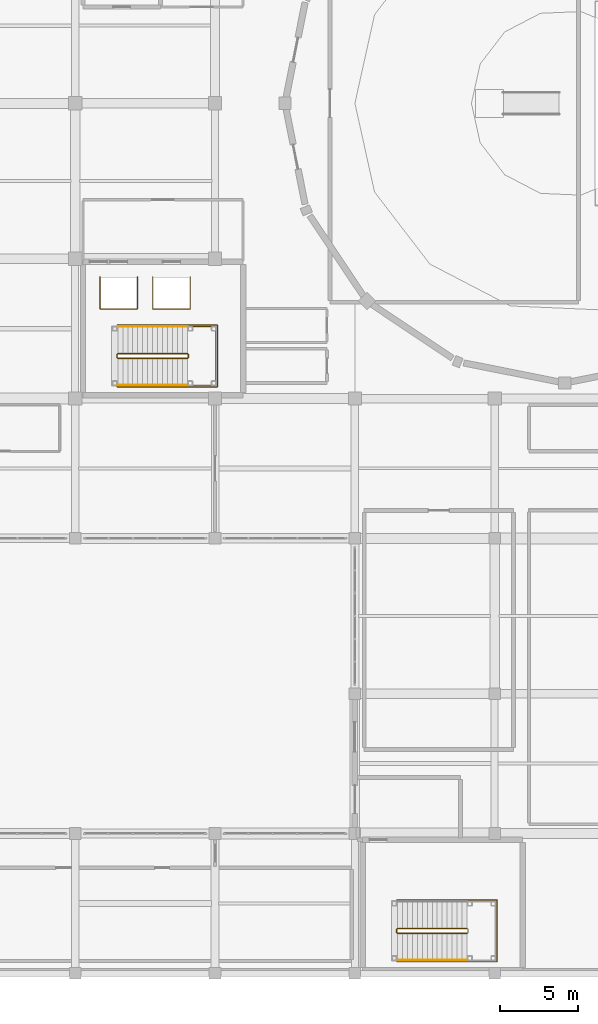
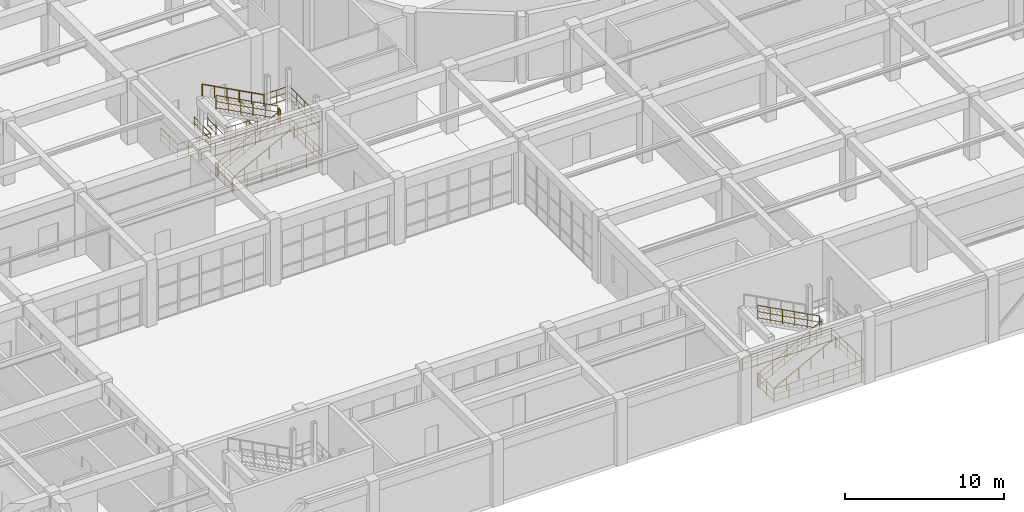
# One storey, part 117 of 128: 15 railings.
"""IFC4 building model written with IfcOpenShell, lengths in metres."""

import ifcopenshell
import ifcopenshell.guid

model = None  # the IFC model being written
_history = None  # IfcOwnerHistory: only IFC2X3 demands one
_inside = {}  # id of a spatial element -> (the spatial element, [elements in it])
_under = {}  # id of a project, library or spatial element -> (it, [spatial elements below it])
_declared = {}  # id of a project -> (the project, [libraries it declares])
_typed = {}  # id of a type object -> (the type object, [elements of that type])
_made_of = {}  # id of a material, layer set ... -> (it, [elements and type objects made of it])


def new_model(schema):
    """Start an empty IFC model of exactly this schema.

    Asked for "IFC4X3", IfcOpenShell would pick the latest addendum, in which some entities
    have other attributes; the version numbers below select the first issue.
    IFC2X3 requires an IfcOwnerHistory on every rooted entity: one is made here for all.
    """
    global model, _history
    if schema == "IFC4X3":
        model = ifcopenshell.file(schema_version=(4, 3, 0, 0))
    else:
        model = ifcopenshell.file(schema=schema)
    _inside.clear()
    _under.clear()
    _declared.clear()
    _typed.clear()
    _made_of.clear()
    _history = None
    if model.schema == "IFC2X3":
        org = make("IfcOrganization", Name="unknown")
        user = make(
            "IfcPersonAndOrganization",
            ThePerson=make("IfcPerson", FamilyName="unknown"),
            TheOrganization=org,
        )
        app = make(
            "IfcApplication",
            ApplicationDeveloper=org,
            Version="unknown",
            ApplicationFullName="unknown",
            ApplicationIdentifier="unknown",
        )
        _history = make(
            "IfcOwnerHistory",
            OwningUser=user,
            OwningApplication=app,
            ChangeAction="ADDED",
            CreationDate=0,
        )
    return model


def make(cls, **values):
    """One entity of the class cls with the attributes given. An attribute that is None is left unset."""
    return model.create_entity(
        cls, **{name: value for name, value in values.items() if value is not None}
    )


def rooted(cls, **values):
    """An entity with a GlobalId (a new one), such as an element, a storey or a relation."""
    return make(cls, GlobalId=ifcopenshell.guid.new(), OwnerHistory=_history, **values)


def si_unit(unit_type, name, prefix=None):
    """IfcSIUnit, for example si_unit("LENGTHUNIT", "METRE", prefix="MILLI")."""
    return make("IfcSIUnit", UnitType=unit_type, Prefix=prefix, Name=name)


def assignment(units):
    """IfcUnitAssignment: the units of a project."""
    return None if units is None else make("IfcUnitAssignment", Units=units)


def point(xyz):
    """IfcCartesianPoint."""
    return None if xyz is None else make("IfcCartesianPoint", Coordinates=xyz)


def direction(xyz):
    """IfcDirection."""
    return None if xyz is None else make("IfcDirection", DirectionRatios=xyz)


def frame(location, z_axis=None, x_axis=None):
    """IfcAxis2Placement3D, a coordinate frame: its origin and axes. An axis left out is left unset."""
    return make(
        "IfcAxis2Placement3D",
        Location=point(location),
        Axis=direction(z_axis),
        RefDirection=direction(x_axis),
    )


def frame_2d(location, x_axis=None):
    """IfcAxis2Placement2D, a coordinate frame in the plane: its origin and x axis."""
    return make(
        "IfcAxis2Placement2D", Location=point(location), RefDirection=direction(x_axis)
    )


def origin():
    """The frame at (0, 0, 0) with its axes left unset."""
    return frame((0.0, 0.0, 0.0))


def origin_2d():
    """The frame at (0, 0) in the plane with its x axis left unset."""
    return frame_2d((0.0, 0.0))


def place(relative_to, where):
    """IfcLocalPlacement: puts the frame where relative to a parent placement (None: the world)."""
    return make(
        "IfcLocalPlacement", PlacementRelTo=relative_to, RelativePlacement=where
    )


def context(
    kind, dimensions, precision=None, world=None, true_north=None, identifier=None
):
    """IfcGeometricRepresentationContext, for example the 3D "Model" context."""
    return make(
        "IfcGeometricRepresentationContext",
        ContextIdentifier=identifier,
        ContextType=kind,
        CoordinateSpaceDimension=dimensions,
        Precision=precision,
        WorldCoordinateSystem=world,
        TrueNorth=true_north,
    )


def subcontext(parent, identifier, kind, view, scale=None):
    """IfcGeometricRepresentationSubContext, for example "Body" below "Model"."""
    return make(
        "IfcGeometricRepresentationSubContext",
        ContextIdentifier=identifier,
        ContextType=kind,
        ParentContext=parent,
        TargetScale=scale,
        TargetView=view,
    )


def project(units=None, contexts=None):
    """IfcProject with its units and contexts."""
    return rooted(
        "IfcProject",
        Name="project",
        RepresentationContexts=contexts,
        UnitsInContext=assignment(units),
    )


def spatial(cls, under=None, at=None, **own):
    """A site, building, storey or space (cls), placed at a placement, below another one or the project."""
    s = rooted(cls, ObjectPlacement=at, **own)
    if under is not None:
        _under.setdefault(under.id(), (under, []))[1].append(s)
    return s


def profile(cls, at=None, kind="AREA", **sizes):
    """A parametric profile (cls). Its sizes go by their IFC names, for example OverallWidth=200.0."""
    return make(cls, ProfileType=kind, Position=at, **sizes)


def circle(**sizes):
    """IfcCircleProfileDef."""
    return profile("IfcCircleProfileDef", **sizes)


def extrude(swept, where, along, depth):
    """IfcExtrudedAreaSolid: the profile swept, set in the frame where, extruded along a direction by depth."""
    return make(
        "IfcExtrudedAreaSolid",
        SweptArea=swept,
        Position=where,
        ExtrudedDirection=direction(along),
        Depth=depth,
    )


def shape(context_of_items, identifier, shape_type, items):
    """IfcShapeRepresentation: the items that make up one representation, for example the "Body"."""
    return make(
        "IfcShapeRepresentation",
        ContextOfItems=context_of_items,
        RepresentationIdentifier=identifier,
        RepresentationType=shape_type,
        Items=items,
    )


def material(Name=None, Category=None):
    """IfcMaterial."""
    return make("IfcMaterial", Name=Name, Category=Category)


def made_of(thing, what):
    """Note that an element or type object is made of a material, layer set ...; save() writes the relation."""
    if what is not None:
        _made_of.setdefault(what.id(), (what, []))[1].append(thing)
    return thing


def type_object(cls, material=None, **own):
    """A type object (cls), such as IfcWallType, which elements share."""
    return made_of(rooted(cls, **own), material)


def element(
    cls,
    number,
    at=None,
    inside=None,
    cuts=None,
    type_object=None,
    material=None,
    context=None,
    identifier="Body",
    shape_type=None,
    held_by="IfcProductDefinitionShape",
    body=None,
    shapes=None,
    **own,
):
    """One element of the class cls, such as IfcWall. Its Tag is "e" and its number.

    at: its placement. inside: the storey or other place that contains it. cuts: it is an
    opening in that element (IfcRelVoidsElement). A single representation is given by context,
    identifier, shape_type and body (its items); several are given by shapes. held_by: the class
    of the entity that holds the representations. save() writes the other relations.
    """
    e = rooted(cls, Tag="e%d" % number, ObjectPlacement=at, **own)
    if body is not None:
        shapes = [shape(context, identifier, shape_type, body)]
    if shapes is not None:
        e.Representation = make(held_by, Representations=shapes)
    if inside is not None:
        _inside.setdefault(inside.id(), (inside, []))[1].append(e)
    if cuts is not None:
        rooted(
            "IfcRelVoidsElement", RelatingBuildingElement=cuts, RelatedOpeningElement=e
        )
    if type_object is not None:
        _typed.setdefault(type_object.id(), (type_object, []))[1].append(e)
    return made_of(e, material)


def aggregate(whole, parts):
    """IfcRelAggregates: a whole, such as a stair, and the parts it consists of."""
    return rooted("IfcRelAggregates", RelatingObject=whole, RelatedObjects=parts)


def save(model, path):
    """Write the relations noted so far, then the file.

    IfcRelAggregates (storeys below a building ...), IfcRelContainedInSpatialStructure (elements
    in a storey), IfcRelDefinesByType, IfcRelAssociatesMaterial and IfcRelDeclares: one each for
    every whole, place, type object, material and project.
    """
    for whole, parts in _under.values():
        aggregate(whole, parts)
    for where, things in _inside.values():
        rooted(
            "IfcRelContainedInSpatialStructure",
            RelatedElements=things,
            RelatingStructure=where,
        )
    for kind, things in _typed.values():
        rooted("IfcRelDefinesByType", RelatedObjects=things, RelatingType=kind)
    for what, things in _made_of.values():
        rooted("IfcRelAssociatesMaterial", RelatedObjects=things, RelatingMaterial=what)
    for by, libraries in _declared.values():
        rooted("IfcRelDeclares", RelatingContext=by, RelatedDefinitions=libraries)
    model.write(path)


model = new_model("IFC4")

# Units and contexts
model_context = context("Model", 3, precision=1e-05, world=origin(), true_north=direction((0.0, 1.0)))
body_context = subcontext(model_context, "Body", "Model", "MODEL_VIEW")
ifc_project = project(units=[si_unit("LENGTHUNIT", "METRE"), si_unit("AREAUNIT", "SQUARE_METRE"), si_unit("VOLUMEUNIT", "CUBIC_METRE"), si_unit("PLANEANGLEUNIT", "RADIAN"), si_unit("MASSUNIT", "GRAM", prefix="KILO")], contexts=[model_context])

# Site, building, storey
site_placement = place(None, origin())
site = spatial("IfcSite", under=ifc_project, at=site_placement, CompositionType="ELEMENT")
building_placement = place(site_placement, origin())
building = spatial("IfcBuilding", under=site, at=building_placement, Name="Miravela Opera House", CompositionType="ELEMENT")
storey_placement = place(building_placement, origin())
storey = spatial("IfcBuildingStorey", under=building, at=storey_placement, Name="L00", CompositionType="ELEMENT", Elevation=0.0)

# Railings
ifc_material_1 = material(Name="Brushed bronze continuous stair handrail")
railing_type_1 = type_object("IfcRailingType", Name="ARC-RAIL-HAND-900", PredefinedType="HANDRAIL", material=ifc_material_1)
railing_1_placement = place(storey_placement, frame((47.739990234375, 37.85009765625, 0.169921875)))
element("IfcRailing", 1, at=railing_1_placement, inside=storey, type_object=railing_type_1, Name="L00 ST-02 stair handrail 1", PredefinedType="HANDRAIL", context=body_context, shape_type="SweptSolid", body=[
    extrude(circle(Radius=0.02392578125, at=origin_2d()), frame((0.0, 0.0, 0.8759765625), z_axis=(0.883104503341, 0.0, 0.469176338042), x_axis=(0.0, 1.0, 0.0)), (0.0, 0.0, 1.0), 5.072998046875),
    extrude(circle(Radius=0.02099609375, at=origin_2d()), origin(), (0.0, 0.0, 1.0), 0.851806640625),
    extrude(circle(Radius=0.02099609375, at=origin_2d()), frame((0.89599609375, 0.0, 0.47607421875)), (0.0, 0.0, 1.0), 0.851806640625),
    extrude(circle(Radius=0.02099609375, at=origin_2d()), frame((1.7919921875, 0.0, 0.9521484375)), (0.0, 0.0, 1.0), 0.851806640625),
    extrude(circle(Radius=0.02099609375, at=origin_2d()), frame((2.68798828125, 0.0, 1.427978515625)), (0.0, 0.0, 1.0), 0.851806640625),
    extrude(circle(Radius=0.02099609375, at=origin_2d()), frame((3.583984375, 0.0, 1.904052734375)), (0.0, 0.0, 1.0), 0.851806640625),
    extrude(circle(Radius=0.02099609375, at=origin_2d()), frame((4.47998046875, 0.0, 2.380126953125)), (0.0, 0.0, 1.0), 0.851806640625),
])
railing_2_placement = place(storey_placement, frame((52.219970703125, 41.6298828125, 2.719970703125)))
element("IfcRailing", 2, at=railing_2_placement, inside=storey, type_object=railing_type_1, Name="L00 ST-02 stair handrail 2", PredefinedType="HANDRAIL", context=body_context, shape_type="SweptSolid", body=[
    extrude(circle(Radius=0.02392578125, at=origin_2d()), frame((0.0, 0.0, 0.8759765625), z_axis=(-0.883104503341, 0.0, 0.469176338042), x_axis=(0.0, -1.0, 0.0)), (0.0, 0.0, 1.0), 5.072998046875),
    extrude(circle(Radius=0.02099609375, at=origin_2d()), origin(), (0.0, 0.0, 1.0), 0.851806640625),
    extrude(circle(Radius=0.02099609375, at=origin_2d()), frame((-0.89599609375, 0.0, 0.47607421875)), (0.0, 0.0, 1.0), 0.851806640625),
    extrude(circle(Radius=0.02099609375, at=origin_2d()), frame((-1.7919921875, 0.0, 0.9521484375)), (0.0, 0.0, 1.0), 0.851806640625),
    extrude(circle(Radius=0.02099609375, at=origin_2d()), frame((-2.68798828125, 0.0, 1.427978515625)), (0.0, 0.0, 1.0), 0.851806640625),
    extrude(circle(Radius=0.02099609375, at=origin_2d()), frame((-3.583984375, 0.0, 1.904052734375)), (0.0, 0.0, 1.0), 0.851806640625),
    extrude(circle(Radius=0.02099609375, at=origin_2d()), frame((-4.47998046875, 0.0, 2.380126953125)), (0.0, 0.0, 1.0), 0.851806640625),
])
railing_3_placement = place(storey_placement, frame((65.739990234375, 0.85009765625, 0.169921875)))
element("IfcRailing", 3, at=railing_3_placement, inside=storey, type_object=railing_type_1, Name="L00 ST-06 stair handrail 1", PredefinedType="HANDRAIL", context=body_context, shape_type="SweptSolid", body=[
    extrude(circle(Radius=0.02392578125, at=origin_2d()), frame((0.0, 0.0, 0.8759765625), z_axis=(0.883104503341, 0.0, 0.469176338042), x_axis=(0.0, 1.0, 0.0)), (0.0, 0.0, 1.0), 5.072998046875),
    extrude(circle(Radius=0.02099609375, at=origin_2d()), origin(), (0.0, 0.0, 1.0), 0.851806640625),
    extrude(circle(Radius=0.02099609375, at=origin_2d()), frame((0.89599609375, 0.0, 0.47607421875)), (0.0, 0.0, 1.0), 0.851806640625),
    extrude(circle(Radius=0.02099609375, at=origin_2d()), frame((1.7919921875, 0.0, 0.9521484375)), (0.0, 0.0, 1.0), 0.851806640625),
    extrude(circle(Radius=0.02099609375, at=origin_2d()), frame((2.68798828125, 0.0, 1.427978515625)), (0.0, 0.0, 1.0), 0.851806640625),
    extrude(circle(Radius=0.02099609375, at=origin_2d()), frame((3.583984375, 0.0, 1.904052734375)), (0.0, 0.0, 1.0), 0.851806640625),
    extrude(circle(Radius=0.02099609375, at=origin_2d()), frame((4.47998046875, 0.0, 2.380126953125)), (0.0, 0.0, 1.0), 0.851806640625),
])
ifc_material_2 = material(Name="Painted wrought-iron stair guardrail")
railing_type_2 = type_object("IfcRailingType", Name="ARC-RAIL-STAIR-GUARD", PredefinedType="GUARDRAIL", material=ifc_material_2)
railing_4_placement = place(storey_placement, frame((47.739990234375, 39.590087890625, 0.169921875)))
element("IfcRailing", 4, at=railing_4_placement, inside=storey, type_object=railing_type_2, Name="L00 ST-02 stair guard 1", PredefinedType="GUARDRAIL", context=body_context, shape_type="SweptSolid", body=[
    extrude(circle(Radius=0.02392578125, at=origin_2d()), frame((0.0, 0.0, 1.076171875), z_axis=(0.883104503341, 0.0, 0.469176338042), x_axis=(0.0, 1.0, 0.0)), (0.0, 0.0, 1.0), 5.072998046875),
    extrude(circle(Radius=0.01611328125, at=origin_2d()), frame((0.0, 0.0, 0.60498046875), z_axis=(0.883104503341, 0.0, 0.469176338042), x_axis=(0.0, 1.0, 0.0)), (0.0, 0.0, 1.0), 5.072998046875),
    extrude(circle(Radius=0.01611328125, at=origin_2d()), frame((0.0, 0.0, 0.1201171875), z_axis=(0.883104503341, 0.0, 0.469176338042), x_axis=(0.0, 1.0, 0.0)), (0.0, 0.0, 1.0), 5.072998046875),
    extrude(circle(Radius=0.02099609375, at=origin_2d()), origin(), (0.0, 0.0, 1.0), 1.052001953125),
    extrude(circle(Radius=0.02099609375, at=origin_2d()), frame((0.89599609375, 0.0, 0.47607421875)), (0.0, 0.0, 1.0), 1.052001953125),
    extrude(circle(Radius=0.02099609375, at=origin_2d()), frame((1.7919921875, 0.0, 0.9521484375)), (0.0, 0.0, 1.0), 1.052001953125),
    extrude(circle(Radius=0.02099609375, at=origin_2d()), frame((2.68798828125, 0.0, 1.427978515625)), (0.0, 0.0, 1.0), 1.052001953125),
    extrude(circle(Radius=0.02099609375, at=origin_2d()), frame((3.583984375, 0.0, 1.904052734375)), (0.0, 0.0, 1.0), 1.052001953125),
    extrude(circle(Radius=0.02099609375, at=origin_2d()), frame((4.47998046875, 0.0, 2.380126953125)), (0.0, 0.0, 1.0), 1.052001953125),
])
railing_5_placement = place(storey_placement, frame((52.27001953125, 39.639892578125, 2.550048828125)))
element("IfcRailing", 5, at=railing_5_placement, inside=storey, type_object=railing_type_2, Name="L00 ST-02 stair guard 2", PredefinedType="GUARDRAIL", context=body_context, shape_type="SweptSolid", body=[
    extrude(circle(Radius=0.02392578125, at=origin_2d()), frame((0.0, 0.0, 1.076171875), z_axis=(0.0, 1.0, 0.0), x_axis=(-1.0, 0.0, 0.0)), (0.0, 0.0, 1.0), 0.2001953125),
    extrude(circle(Radius=0.01611328125, at=origin_2d()), frame((0.0, 0.0, 0.60498046875), z_axis=(0.0, 1.0, 0.0), x_axis=(-1.0, 0.0, 0.0)), (0.0, 0.0, 1.0), 0.2001953125),
    extrude(circle(Radius=0.01611328125, at=origin_2d()), frame((0.0, 0.0, 0.1201171875), z_axis=(0.0, 1.0, 0.0), x_axis=(-1.0, 0.0, 0.0)), (0.0, 0.0, 1.0), 0.2001953125),
    extrude(circle(Radius=0.02099609375, at=origin_2d()), origin(), (0.0, 0.0, 1.0), 1.052001953125),
    extrude(circle(Radius=0.02099609375, at=origin_2d()), frame((0.0, 0.2001953125, 0.0)), (0.0, 0.0, 1.0), 1.052001953125),
])
railing_6_placement = place(storey_placement, frame((52.219970703125, 39.889892578125, 2.719970703125)))
element("IfcRailing", 6, at=railing_6_placement, inside=storey, type_object=railing_type_2, Name="L00 ST-02 stair guard 3", PredefinedType="GUARDRAIL", context=body_context, shape_type="SweptSolid", body=[
    extrude(circle(Radius=0.02392578125, at=origin_2d()), frame((0.0, 0.0, 1.076171875), z_axis=(-0.883104503341, 0.0, 0.469176338042), x_axis=(0.0, -1.0, 0.0)), (0.0, 0.0, 1.0), 5.072998046875),
    extrude(circle(Radius=0.01611328125, at=origin_2d()), frame((0.0, 0.0, 0.60498046875), z_axis=(-0.883104503341, 0.0, 0.469176338042), x_axis=(0.0, -1.0, 0.0)), (0.0, 0.0, 1.0), 5.072998046875),
    extrude(circle(Radius=0.01611328125, at=origin_2d()), frame((0.0, 0.0, 0.1201171875), z_axis=(-0.883104503341, 0.0, 0.469176338042), x_axis=(0.0, -1.0, 0.0)), (0.0, 0.0, 1.0), 5.072998046875),
    extrude(circle(Radius=0.02099609375, at=origin_2d()), origin(), (0.0, 0.0, 1.0), 1.052001953125),
    extrude(circle(Radius=0.02099609375, at=origin_2d()), frame((-0.89599609375, 0.0, 0.47607421875)), (0.0, 0.0, 1.0), 1.052001953125),
    extrude(circle(Radius=0.02099609375, at=origin_2d()), frame((-1.7919921875, 0.0, 0.9521484375)), (0.0, 0.0, 1.0), 1.052001953125),
    extrude(circle(Radius=0.02099609375, at=origin_2d()), frame((-2.68798828125, 0.0, 1.427978515625)), (0.0, 0.0, 1.0), 1.052001953125),
    extrude(circle(Radius=0.02099609375, at=origin_2d()), frame((-3.583984375, 0.0, 1.904052734375)), (0.0, 0.0, 1.0), 1.052001953125),
    extrude(circle(Radius=0.02099609375, at=origin_2d()), frame((-4.47998046875, 0.0, 2.380126953125)), (0.0, 0.0, 1.0), 1.052001953125),
])
railing_7_placement = place(storey_placement, frame((47.68994140625, 39.639892578125, 0.0)))
element("IfcRailing", 7, at=railing_7_placement, inside=storey, type_object=railing_type_2, Name="L00 ST-02 stair guard 4", PredefinedType="GUARDRAIL", context=body_context, shape_type="SweptSolid", body=[
    extrude(circle(Radius=0.02392578125, at=origin_2d()), frame((0.0, 0.0, 1.076171875), z_axis=(0.0, 1.0, 0.0), x_axis=(-1.0, 0.0, 0.0)), (0.0, 0.0, 1.0), 0.2001953125),
    extrude(circle(Radius=0.01611328125, at=origin_2d()), frame((0.0, 0.0, 0.60498046875), z_axis=(0.0, 1.0, 0.0), x_axis=(-1.0, 0.0, 0.0)), (0.0, 0.0, 1.0), 0.2001953125),
    extrude(circle(Radius=0.01611328125, at=origin_2d()), frame((0.0, 0.0, 0.1201171875), z_axis=(0.0, 1.0, 0.0), x_axis=(-1.0, 0.0, 0.0)), (0.0, 0.0, 1.0), 0.2001953125),
    extrude(circle(Radius=0.02099609375, at=origin_2d()), origin(), (0.0, 0.0, 1.0), 1.052001953125),
    extrude(circle(Radius=0.02099609375, at=origin_2d()), frame((0.0, 0.2001953125, 0.0)), (0.0, 0.0, 1.0), 1.052001953125),
])
railing_8_placement = place(storey_placement, frame((52.27001953125, 37.85009765625, 2.550048828125)))
element("IfcRailing", 8, at=railing_8_placement, inside=storey, type_object=railing_type_2, Name="Stair ST-02 Half-Landing Perimeter Guard (L00) 0014", PredefinedType="GUARDRAIL", context=body_context, shape_type="SweptSolid", body=[
    extrude(circle(Radius=0.02392578125, at=origin_2d()), frame((0.0, 0.0, 1.076171875), z_axis=(1.0, 0.0, 0.0), x_axis=(0.0, 1.0, 0.0)), (0.0, 0.0, 1.0), 1.780029296875),
    extrude(circle(Radius=0.01611328125, at=origin_2d()), frame((0.0, 0.0, 0.60498046875), z_axis=(1.0, 0.0, 0.0), x_axis=(0.0, 1.0, 0.0)), (0.0, 0.0, 1.0), 1.780029296875),
    extrude(circle(Radius=0.01611328125, at=origin_2d()), frame((0.0, 0.0, 0.1201171875), z_axis=(1.0, 0.0, 0.0), x_axis=(0.0, 1.0, 0.0)), (0.0, 0.0, 1.0), 1.780029296875),
    extrude(circle(Radius=0.02392578125, at=origin_2d()), frame((1.780029296875, 0.0, 1.076171875), z_axis=(0.0, 1.0, 0.0), x_axis=(-1.0, 0.0, 0.0)), (0.0, 0.0, 1.0), 3.77978515625),
    extrude(circle(Radius=0.01611328125, at=origin_2d()), frame((1.780029296875, 0.0, 0.60498046875), z_axis=(0.0, 1.0, 0.0), x_axis=(-1.0, 0.0, 0.0)), (0.0, 0.0, 1.0), 3.77978515625),
    extrude(circle(Radius=0.01611328125, at=origin_2d()), frame((1.780029296875, 0.0, 0.1201171875), z_axis=(0.0, 1.0, 0.0), x_axis=(-1.0, 0.0, 0.0)), (0.0, 0.0, 1.0), 3.77978515625),
    extrude(circle(Radius=0.02392578125, at=origin_2d()), frame((1.780029296875, 3.77978515625, 1.076171875), z_axis=(-1.0, 0.0, 0.0), x_axis=(0.0, -1.0, 0.0)), (0.0, 0.0, 1.0), 1.780029296875),
    extrude(circle(Radius=0.01611328125, at=origin_2d()), frame((1.780029296875, 3.77978515625, 0.60498046875), z_axis=(-1.0, 0.0, 0.0), x_axis=(0.0, -1.0, 0.0)), (0.0, 0.0, 1.0), 1.780029296875),
    extrude(circle(Radius=0.01611328125, at=origin_2d()), frame((1.780029296875, 3.77978515625, 0.1201171875), z_axis=(-1.0, 0.0, 0.0), x_axis=(0.0, -1.0, 0.0)), (0.0, 0.0, 1.0), 1.780029296875),
    extrude(circle(Radius=0.02099609375, at=origin_2d()), origin(), (0.0, 0.0, 1.0), 1.052001953125),
    extrude(circle(Radius=0.02099609375, at=origin_2d()), frame((0.89013671875, 0.0, 0.0)), (0.0, 0.0, 1.0), 1.052001953125),
    extrude(circle(Radius=0.02099609375, at=origin_2d()), frame((1.780029296875, 0.0, 0.0)), (0.0, 0.0, 1.0), 1.052001953125),
    extrude(circle(Radius=0.02099609375, at=origin_2d()), frame((1.780029296875, 0.94482421875, 0.0)), (0.0, 0.0, 1.0), 1.052001953125),
    extrude(circle(Radius=0.02099609375, at=origin_2d()), frame((1.780029296875, 1.889892578125, 0.0)), (0.0, 0.0, 1.0), 1.052001953125),
    extrude(circle(Radius=0.02099609375, at=origin_2d()), frame((1.780029296875, 2.8349609375, 0.0)), (0.0, 0.0, 1.0), 1.052001953125),
    extrude(circle(Radius=0.02099609375, at=origin_2d()), frame((1.780029296875, 3.77978515625, 0.0)), (0.0, 0.0, 1.0), 1.052001953125),
    extrude(circle(Radius=0.02099609375, at=origin_2d()), frame((0.89013671875, 3.77978515625, 0.0)), (0.0, 0.0, 1.0), 1.052001953125),
    extrude(circle(Radius=0.02099609375, at=origin_2d()), frame((0.0, 3.77978515625, 0.0)), (0.0, 0.0, 1.0), 1.052001953125),
])
railing_9_placement = place(storey_placement, frame((47.68994140625, 39.669921875, 0.0)))
element("IfcRailing", 9, at=railing_9_placement, inside=storey, type_object=railing_type_2, Name="Stair ST-02 Well Slab Opening Guard (L00) 0019", PredefinedType="GUARDRAIL", context=body_context, shape_type="SweptSolid", body=[
    extrude(circle(Radius=0.02392578125, at=origin_2d()), frame((0.0, 0.0, 1.076171875), z_axis=(0.0, -1.0, 0.0), x_axis=(1.0, 0.0, 0.0)), (0.0, 0.0, 1.0), 1.919921875),
    extrude(circle(Radius=0.01611328125, at=origin_2d()), frame((0.0, 0.0, 0.60498046875), z_axis=(0.0, -1.0, 0.0), x_axis=(1.0, 0.0, 0.0)), (0.0, 0.0, 1.0), 1.919921875),
    extrude(circle(Radius=0.01611328125, at=origin_2d()), frame((0.0, 0.0, 0.1201171875), z_axis=(0.0, -1.0, 0.0), x_axis=(1.0, 0.0, 0.0)), (0.0, 0.0, 1.0), 1.919921875),
    extrude(circle(Radius=0.02392578125, at=origin_2d()), frame((0.0, -1.919921875, 1.076171875), z_axis=(1.0, 0.0, 0.0), x_axis=(0.0, 1.0, 0.0)), (0.0, 0.0, 1.0), 6.4599609375),
    extrude(circle(Radius=0.01611328125, at=origin_2d()), frame((0.0, -1.919921875, 0.60498046875), z_axis=(1.0, 0.0, 0.0), x_axis=(0.0, 1.0, 0.0)), (0.0, 0.0, 1.0), 6.4599609375),
    extrude(circle(Radius=0.01611328125, at=origin_2d()), frame((0.0, -1.919921875, 0.1201171875), z_axis=(1.0, 0.0, 0.0), x_axis=(0.0, 1.0, 0.0)), (0.0, 0.0, 1.0), 6.4599609375),
    extrude(circle(Radius=0.02392578125, at=origin_2d()), frame((6.4599609375, -1.919921875, 1.076171875), z_axis=(0.0, 1.0, 0.0), x_axis=(-1.0, 0.0, 0.0)), (0.0, 0.0, 1.0), 3.97998046875),
    extrude(circle(Radius=0.01611328125, at=origin_2d()), frame((6.4599609375, -1.919921875, 0.60498046875), z_axis=(0.0, 1.0, 0.0), x_axis=(-1.0, 0.0, 0.0)), (0.0, 0.0, 1.0), 3.97998046875),
    extrude(circle(Radius=0.01611328125, at=origin_2d()), frame((6.4599609375, -1.919921875, 0.1201171875), z_axis=(0.0, 1.0, 0.0), x_axis=(-1.0, 0.0, 0.0)), (0.0, 0.0, 1.0), 3.97998046875),
    extrude(circle(Radius=0.02392578125, at=origin_2d()), frame((6.4599609375, 2.06005859375, 1.076171875), z_axis=(-1.0, 0.0, 0.0), x_axis=(0.0, -1.0, 0.0)), (0.0, 0.0, 1.0), 6.4599609375),
    extrude(circle(Radius=0.01611328125, at=origin_2d()), frame((6.4599609375, 2.06005859375, 0.60498046875), z_axis=(-1.0, 0.0, 0.0), x_axis=(0.0, -1.0, 0.0)), (0.0, 0.0, 1.0), 6.4599609375),
    extrude(circle(Radius=0.01611328125, at=origin_2d()), frame((6.4599609375, 2.06005859375, 0.1201171875), z_axis=(-1.0, 0.0, 0.0), x_axis=(0.0, -1.0, 0.0)), (0.0, 0.0, 1.0), 6.4599609375),
    extrude(circle(Radius=0.02099609375, at=origin_2d()), origin(), (0.0, 0.0, 1.0), 1.052001953125),
    extrude(circle(Radius=0.02099609375, at=origin_2d()), frame((0.0, -0.9599609375, 0.0)), (0.0, 0.0, 1.0), 1.052001953125),
    extrude(circle(Radius=0.02099609375, at=origin_2d()), frame((0.0, -1.919921875, 0.0)), (0.0, 0.0, 1.0), 1.052001953125),
    extrude(circle(Radius=0.02099609375, at=origin_2d()), frame((1.07666015625, -1.919921875, 0.0)), (0.0, 0.0, 1.0), 1.052001953125),
    extrude(circle(Radius=0.02099609375, at=origin_2d()), frame((2.1533203125, -1.919921875, 0.0)), (0.0, 0.0, 1.0), 1.052001953125),
    extrude(circle(Radius=0.02099609375, at=origin_2d()), frame((3.22998046875, -1.919921875, 0.0)), (0.0, 0.0, 1.0), 1.052001953125),
    extrude(circle(Radius=0.02099609375, at=origin_2d()), frame((4.306640625, -1.919921875, 0.0)), (0.0, 0.0, 1.0), 1.052001953125),
    extrude(circle(Radius=0.02099609375, at=origin_2d()), frame((5.38330078125, -1.919921875, 0.0)), (0.0, 0.0, 1.0), 1.052001953125),
    extrude(circle(Radius=0.02099609375, at=origin_2d()), frame((6.4599609375, -1.919921875, 0.0)), (0.0, 0.0, 1.0), 1.052001953125),
    extrude(circle(Radius=0.02099609375, at=origin_2d()), frame((6.4599609375, -0.9248046875, 0.0)), (0.0, 0.0, 1.0), 1.052001953125),
    extrude(circle(Radius=0.02099609375, at=origin_2d()), frame((6.4599609375, 0.070068359375, 0.0)), (0.0, 0.0, 1.0), 1.052001953125),
    extrude(circle(Radius=0.02099609375, at=origin_2d()), frame((6.4599609375, 1.06494140625, 0.0)), (0.0, 0.0, 1.0), 1.052001953125),
    extrude(circle(Radius=0.02099609375, at=origin_2d()), frame((6.4599609375, 2.06005859375, 0.0)), (0.0, 0.0, 1.0), 1.052001953125),
    extrude(circle(Radius=0.02099609375, at=origin_2d()), frame((5.38330078125, 2.06005859375, 0.0)), (0.0, 0.0, 1.0), 1.052001953125),
    extrude(circle(Radius=0.02099609375, at=origin_2d()), frame((4.306640625, 2.06005859375, 0.0)), (0.0, 0.0, 1.0), 1.052001953125),
    extrude(circle(Radius=0.02099609375, at=origin_2d()), frame((3.22998046875, 2.06005859375, 0.0)), (0.0, 0.0, 1.0), 1.052001953125),
    extrude(circle(Radius=0.02099609375, at=origin_2d()), frame((2.1533203125, 2.06005859375, 0.0)), (0.0, 0.0, 1.0), 1.052001953125),
    extrude(circle(Radius=0.02099609375, at=origin_2d()), frame((1.07666015625, 2.06005859375, 0.0)), (0.0, 0.0, 1.0), 1.052001953125),
    extrude(circle(Radius=0.02099609375, at=origin_2d()), frame((0.0, 2.06005859375, 0.0)), (0.0, 0.0, 1.0), 1.052001953125),
])
railing_10_placement = place(storey_placement, frame((65.739990234375, 2.590087890625, 0.169921875)))
element("IfcRailing", 10, at=railing_10_placement, inside=storey, type_object=railing_type_2, Name="L00 ST-06 stair guard 1", PredefinedType="GUARDRAIL", context=body_context, shape_type="SweptSolid", body=[
    extrude(circle(Radius=0.02392578125, at=origin_2d()), frame((0.0, 0.0, 1.076171875), z_axis=(0.883104503341, 0.0, 0.469176338042), x_axis=(0.0, 1.0, 0.0)), (0.0, 0.0, 1.0), 5.072998046875),
    extrude(circle(Radius=0.01611328125, at=origin_2d()), frame((0.0, 0.0, 0.60498046875), z_axis=(0.883104503341, 0.0, 0.469176338042), x_axis=(0.0, 1.0, 0.0)), (0.0, 0.0, 1.0), 5.072998046875),
    extrude(circle(Radius=0.01611328125, at=origin_2d()), frame((0.0, 0.0, 0.1201171875), z_axis=(0.883104503341, 0.0, 0.469176338042), x_axis=(0.0, 1.0, 0.0)), (0.0, 0.0, 1.0), 5.072998046875),
    extrude(circle(Radius=0.02099609375, at=origin_2d()), origin(), (0.0, 0.0, 1.0), 1.052001953125),
    extrude(circle(Radius=0.02099609375, at=origin_2d()), frame((0.89599609375, 0.0, 0.47607421875)), (0.0, 0.0, 1.0), 1.052001953125),
    extrude(circle(Radius=0.02099609375, at=origin_2d()), frame((1.7919921875, 0.0, 0.9521484375)), (0.0, 0.0, 1.0), 1.052001953125),
    extrude(circle(Radius=0.02099609375, at=origin_2d()), frame((2.68798828125, 0.0, 1.427978515625)), (0.0, 0.0, 1.0), 1.052001953125),
    extrude(circle(Radius=0.02099609375, at=origin_2d()), frame((3.583984375, 0.0, 1.904052734375)), (0.0, 0.0, 1.0), 1.052001953125),
    extrude(circle(Radius=0.02099609375, at=origin_2d()), frame((4.47998046875, 0.0, 2.380126953125)), (0.0, 0.0, 1.0), 1.052001953125),
])
railing_11_placement = place(storey_placement, frame((70.219970703125, 2.889892578125, 2.719970703125)))
element("IfcRailing", 11, at=railing_11_placement, inside=storey, type_object=railing_type_2, Name="L00 ST-06 stair guard 3", PredefinedType="GUARDRAIL", context=body_context, shape_type="SweptSolid", body=[
    extrude(circle(Radius=0.02392578125, at=origin_2d()), frame((0.0, 0.0, 1.076171875), z_axis=(-0.883104503341, 0.0, 0.469176338042), x_axis=(0.0, -1.0, 0.0)), (0.0, 0.0, 1.0), 5.072998046875),
    extrude(circle(Radius=0.01611328125, at=origin_2d()), frame((0.0, 0.0, 0.60498046875), z_axis=(-0.883104503341, 0.0, 0.469176338042), x_axis=(0.0, -1.0, 0.0)), (0.0, 0.0, 1.0), 5.072998046875),
    extrude(circle(Radius=0.01611328125, at=origin_2d()), frame((0.0, 0.0, 0.1201171875), z_axis=(-0.883104503341, 0.0, 0.469176338042), x_axis=(0.0, -1.0, 0.0)), (0.0, 0.0, 1.0), 5.072998046875),
    extrude(circle(Radius=0.02099609375, at=origin_2d()), origin(), (0.0, 0.0, 1.0), 1.052001953125),
    extrude(circle(Radius=0.02099609375, at=origin_2d()), frame((-0.89599609375, 0.0, 0.47607421875)), (0.0, 0.0, 1.0), 1.052001953125),
    extrude(circle(Radius=0.02099609375, at=origin_2d()), frame((-1.7919921875, 0.0, 0.9521484375)), (0.0, 0.0, 1.0), 1.052001953125),
    extrude(circle(Radius=0.02099609375, at=origin_2d()), frame((-2.68798828125, 0.0, 1.427978515625)), (0.0, 0.0, 1.0), 1.052001953125),
    extrude(circle(Radius=0.02099609375, at=origin_2d()), frame((-3.583984375, 0.0, 1.904052734375)), (0.0, 0.0, 1.0), 1.052001953125),
    extrude(circle(Radius=0.02099609375, at=origin_2d()), frame((-4.47998046875, 0.0, 2.380126953125)), (0.0, 0.0, 1.0), 1.052001953125),
])
railing_12_placement = place(storey_placement, frame((65.68994140625, 2.639892578125, 0.0)))
element("IfcRailing", 12, at=railing_12_placement, inside=storey, type_object=railing_type_2, Name="L00 ST-06 stair guard 4", PredefinedType="GUARDRAIL", context=body_context, shape_type="SweptSolid", body=[
    extrude(circle(Radius=0.02392578125, at=origin_2d()), frame((0.0, 0.0, 1.076171875), z_axis=(0.0, 1.0, 0.0), x_axis=(-1.0, 0.0, 0.0)), (0.0, 0.0, 1.0), 0.2001953125),
    extrude(circle(Radius=0.01611328125, at=origin_2d()), frame((0.0, 0.0, 0.60498046875), z_axis=(0.0, 1.0, 0.0), x_axis=(-1.0, 0.0, 0.0)), (0.0, 0.0, 1.0), 0.2001953125),
    extrude(circle(Radius=0.01611328125, at=origin_2d()), frame((0.0, 0.0, 0.1201171875), z_axis=(0.0, 1.0, 0.0), x_axis=(-1.0, 0.0, 0.0)), (0.0, 0.0, 1.0), 0.2001953125),
    extrude(circle(Radius=0.02099609375, at=origin_2d()), origin(), (0.0, 0.0, 1.0), 1.052001953125),
    extrude(circle(Radius=0.02099609375, at=origin_2d()), frame((0.0, 0.2001953125, 0.0)), (0.0, 0.0, 1.0), 1.052001953125),
])
railing_13_placement = place(storey_placement, frame((65.68994140625, 2.669921875, 0.0)))
element("IfcRailing", 13, at=railing_13_placement, inside=storey, type_object=railing_type_2, Name="Stair ST-06 Well Slab Opening Guard (L00) 0063", PredefinedType="GUARDRAIL", context=body_context, shape_type="SweptSolid", body=[
    extrude(circle(Radius=0.02392578125, at=origin_2d()), frame((0.0, 0.0, 1.076171875), z_axis=(0.0, -1.0, 0.0), x_axis=(1.0, 0.0, 0.0)), (0.0, 0.0, 1.0), 1.919921875),
    extrude(circle(Radius=0.01611328125, at=origin_2d()), frame((0.0, 0.0, 0.60498046875), z_axis=(0.0, -1.0, 0.0), x_axis=(1.0, 0.0, 0.0)), (0.0, 0.0, 1.0), 1.919921875),
    extrude(circle(Radius=0.01611328125, at=origin_2d()), frame((0.0, 0.0, 0.1201171875), z_axis=(0.0, -1.0, 0.0), x_axis=(1.0, 0.0, 0.0)), (0.0, 0.0, 1.0), 1.919921875),
    extrude(circle(Radius=0.02392578125, at=origin_2d()), frame((0.0, -1.919921875, 1.076171875), z_axis=(1.0, 0.0, 0.0), x_axis=(0.0, 1.0, 0.0)), (0.0, 0.0, 1.0), 6.4599609375),
    extrude(circle(Radius=0.01611328125, at=origin_2d()), frame((0.0, -1.919921875, 0.60498046875), z_axis=(1.0, 0.0, 0.0), x_axis=(0.0, 1.0, 0.0)), (0.0, 0.0, 1.0), 6.4599609375),
    extrude(circle(Radius=0.01611328125, at=origin_2d()), frame((0.0, -1.919921875, 0.1201171875), z_axis=(1.0, 0.0, 0.0), x_axis=(0.0, 1.0, 0.0)), (0.0, 0.0, 1.0), 6.4599609375),
    extrude(circle(Radius=0.02392578125, at=origin_2d()), frame((6.4599609375, -1.919921875, 1.076171875), z_axis=(0.0, 1.0, 0.0), x_axis=(-1.0, 0.0, 0.0)), (0.0, 0.0, 1.0), 3.97998046875),
    extrude(circle(Radius=0.01611328125, at=origin_2d()), frame((6.4599609375, -1.919921875, 0.60498046875), z_axis=(0.0, 1.0, 0.0), x_axis=(-1.0, 0.0, 0.0)), (0.0, 0.0, 1.0), 3.97998046875),
    extrude(circle(Radius=0.01611328125, at=origin_2d()), frame((6.4599609375, -1.919921875, 0.1201171875), z_axis=(0.0, 1.0, 0.0), x_axis=(-1.0, 0.0, 0.0)), (0.0, 0.0, 1.0), 3.97998046875),
    extrude(circle(Radius=0.02392578125, at=origin_2d()), frame((6.4599609375, 2.06005859375, 1.076171875), z_axis=(-1.0, 0.0, 0.0), x_axis=(0.0, -1.0, 0.0)), (0.0, 0.0, 1.0), 6.4599609375),
    extrude(circle(Radius=0.01611328125, at=origin_2d()), frame((6.4599609375, 2.06005859375, 0.60498046875), z_axis=(-1.0, 0.0, 0.0), x_axis=(0.0, -1.0, 0.0)), (0.0, 0.0, 1.0), 6.4599609375),
    extrude(circle(Radius=0.01611328125, at=origin_2d()), frame((6.4599609375, 2.06005859375, 0.1201171875), z_axis=(-1.0, 0.0, 0.0), x_axis=(0.0, -1.0, 0.0)), (0.0, 0.0, 1.0), 6.4599609375),
    extrude(circle(Radius=0.02099609375, at=origin_2d()), origin(), (0.0, 0.0, 1.0), 1.052001953125),
    extrude(circle(Radius=0.02099609375, at=origin_2d()), frame((0.0, -0.9599609375, 0.0)), (0.0, 0.0, 1.0), 1.052001953125),
    extrude(circle(Radius=0.02099609375, at=origin_2d()), frame((0.0, -1.919921875, 0.0)), (0.0, 0.0, 1.0), 1.052001953125),
    extrude(circle(Radius=0.02099609375, at=origin_2d()), frame((1.07666015625, -1.919921875, 0.0)), (0.0, 0.0, 1.0), 1.052001953125),
    extrude(circle(Radius=0.02099609375, at=origin_2d()), frame((2.1533203125, -1.919921875, 0.0)), (0.0, 0.0, 1.0), 1.052001953125),
    extrude(circle(Radius=0.02099609375, at=origin_2d()), frame((3.22998046875, -1.919921875, 0.0)), (0.0, 0.0, 1.0), 1.052001953125),
    extrude(circle(Radius=0.02099609375, at=origin_2d()), frame((4.306640625, -1.919921875, 0.0)), (0.0, 0.0, 1.0), 1.052001953125),
    extrude(circle(Radius=0.02099609375, at=origin_2d()), frame((5.38330078125, -1.919921875, 0.0)), (0.0, 0.0, 1.0), 1.052001953125),
    extrude(circle(Radius=0.02099609375, at=origin_2d()), frame((6.4599609375, -1.919921875, 0.0)), (0.0, 0.0, 1.0), 1.052001953125),
    extrude(circle(Radius=0.02099609375, at=origin_2d()), frame((6.4599609375, -0.9248046875, 0.0)), (0.0, 0.0, 1.0), 1.052001953125),
    extrude(circle(Radius=0.02099609375, at=origin_2d()), frame((6.4599609375, 0.070068359375, 0.0)), (0.0, 0.0, 1.0), 1.052001953125),
    extrude(circle(Radius=0.02099609375, at=origin_2d()), frame((6.4599609375, 1.06494140625, 0.0)), (0.0, 0.0, 1.0), 1.052001953125),
    extrude(circle(Radius=0.02099609375, at=origin_2d()), frame((6.4599609375, 2.06005859375, 0.0)), (0.0, 0.0, 1.0), 1.052001953125),
    extrude(circle(Radius=0.02099609375, at=origin_2d()), frame((5.38330078125, 2.06005859375, 0.0)), (0.0, 0.0, 1.0), 1.052001953125),
    extrude(circle(Radius=0.02099609375, at=origin_2d()), frame((4.306640625, 2.06005859375, 0.0)), (0.0, 0.0, 1.0), 1.052001953125),
    extrude(circle(Radius=0.02099609375, at=origin_2d()), frame((3.22998046875, 2.06005859375, 0.0)), (0.0, 0.0, 1.0), 1.052001953125),
    extrude(circle(Radius=0.02099609375, at=origin_2d()), frame((2.1533203125, 2.06005859375, 0.0)), (0.0, 0.0, 1.0), 1.052001953125),
    extrude(circle(Radius=0.02099609375, at=origin_2d()), frame((1.07666015625, 2.06005859375, 0.0)), (0.0, 0.0, 1.0), 1.052001953125),
    extrude(circle(Radius=0.02099609375, at=origin_2d()), frame((0.0, 2.06005859375, 0.0)), (0.0, 0.0, 1.0), 1.052001953125),
])
railing_14_placement = place(storey_placement, frame((46.590087890625, 44.840087890625, 0.0)))
element("IfcRailing", 14, at=railing_14_placement, inside=storey, type_object=railing_type_2, Name="Lift PL-02 Hoistway Slab Opening Guard (L00) 0105", PredefinedType="GUARDRAIL", context=body_context, shape_type="SweptSolid", body=[
    extrude(circle(Radius=0.02392578125, at=origin_2d()), frame((0.0, 0.0, 1.076171875), z_axis=(0.0, -1.0, 0.0), x_axis=(1.0, 0.0, 0.0)), (0.0, 0.0, 1.0), 2.0751953125),
    extrude(circle(Radius=0.01611328125, at=origin_2d()), frame((0.0, 0.0, 0.60498046875), z_axis=(0.0, -1.0, 0.0), x_axis=(1.0, 0.0, 0.0)), (0.0, 0.0, 1.0), 2.0751953125),
    extrude(circle(Radius=0.01611328125, at=origin_2d()), frame((0.0, 0.0, 0.1201171875), z_axis=(0.0, -1.0, 0.0), x_axis=(1.0, 0.0, 0.0)), (0.0, 0.0, 1.0), 2.0751953125),
    extrude(circle(Radius=0.02392578125, at=origin_2d()), frame((0.0, -2.0751953125, 1.076171875), z_axis=(1.0, 0.0, 0.0), x_axis=(0.0, 1.0, 0.0)), (0.0, 0.0, 1.0), 2.419921875),
    extrude(circle(Radius=0.01611328125, at=origin_2d()), frame((0.0, -2.0751953125, 0.60498046875), z_axis=(1.0, 0.0, 0.0), x_axis=(0.0, 1.0, 0.0)), (0.0, 0.0, 1.0), 2.419921875),
    extrude(circle(Radius=0.01611328125, at=origin_2d()), frame((0.0, -2.0751953125, 0.1201171875), z_axis=(1.0, 0.0, 0.0), x_axis=(0.0, 1.0, 0.0)), (0.0, 0.0, 1.0), 2.419921875),
    extrude(circle(Radius=0.02392578125, at=origin_2d()), frame((2.419921875, -2.0751953125, 1.076171875), z_axis=(0.0, 1.0, 0.0), x_axis=(-1.0, 0.0, 0.0)), (0.0, 0.0, 1.0), 2.0751953125),
    extrude(circle(Radius=0.01611328125, at=origin_2d()), frame((2.419921875, -2.0751953125, 0.60498046875), z_axis=(0.0, 1.0, 0.0), x_axis=(-1.0, 0.0, 0.0)), (0.0, 0.0, 1.0), 2.0751953125),
    extrude(circle(Radius=0.01611328125, at=origin_2d()), frame((2.419921875, -2.0751953125, 0.1201171875), z_axis=(0.0, 1.0, 0.0), x_axis=(-1.0, 0.0, 0.0)), (0.0, 0.0, 1.0), 2.0751953125),
    extrude(circle(Radius=0.02099609375, at=origin_2d()), origin(), (0.0, 0.0, 1.0), 1.052001953125),
    extrude(circle(Radius=0.02099609375, at=origin_2d()), frame((0.0, -1.03759765625, 0.0)), (0.0, 0.0, 1.0), 1.052001953125),
    extrude(circle(Radius=0.02099609375, at=origin_2d()), frame((0.0, -2.0751953125, 0.0)), (0.0, 0.0, 1.0), 1.052001953125),
    extrude(circle(Radius=0.02099609375, at=origin_2d()), frame((0.806640625, -2.0751953125, 0.0)), (0.0, 0.0, 1.0), 1.052001953125),
    extrude(circle(Radius=0.02099609375, at=origin_2d()), frame((1.61328125, -2.0751953125, 0.0)), (0.0, 0.0, 1.0), 1.052001953125),
    extrude(circle(Radius=0.02099609375, at=origin_2d()), frame((2.419921875, -2.0751953125, 0.0)), (0.0, 0.0, 1.0), 1.052001953125),
    extrude(circle(Radius=0.02099609375, at=origin_2d()), frame((2.419921875, -1.03759765625, 0.0)), (0.0, 0.0, 1.0), 1.052001953125),
    extrude(circle(Radius=0.02099609375, at=origin_2d()), frame((2.419921875, 0.0, 0.0)), (0.0, 0.0, 1.0), 1.052001953125),
])
railing_15_placement = place(storey_placement, frame((49.989990234375, 44.840087890625, 0.0)))
element("IfcRailing", 15, at=railing_15_placement, inside=storey, type_object=railing_type_2, Name="Lift PL-03 Hoistway Slab Opening Guard (L00) 0111", PredefinedType="GUARDRAIL", context=body_context, shape_type="SweptSolid", body=[
    extrude(circle(Radius=0.02392578125, at=origin_2d()), frame((0.0, 0.0, 1.076171875), z_axis=(0.0, -1.0, 0.0), x_axis=(1.0, 0.0, 0.0)), (0.0, 0.0, 1.0), 2.0751953125),
    extrude(circle(Radius=0.01611328125, at=origin_2d()), frame((0.0, 0.0, 0.60498046875), z_axis=(0.0, -1.0, 0.0), x_axis=(1.0, 0.0, 0.0)), (0.0, 0.0, 1.0), 2.0751953125),
    extrude(circle(Radius=0.01611328125, at=origin_2d()), frame((0.0, 0.0, 0.1201171875), z_axis=(0.0, -1.0, 0.0), x_axis=(1.0, 0.0, 0.0)), (0.0, 0.0, 1.0), 2.0751953125),
    extrude(circle(Radius=0.02392578125, at=origin_2d()), frame((0.0, -2.0751953125, 1.076171875), z_axis=(1.0, 0.0, 0.0), x_axis=(0.0, 1.0, 0.0)), (0.0, 0.0, 1.0), 2.419921875),
    extrude(circle(Radius=0.01611328125, at=origin_2d()), frame((0.0, -2.0751953125, 0.60498046875), z_axis=(1.0, 0.0, 0.0), x_axis=(0.0, 1.0, 0.0)), (0.0, 0.0, 1.0), 2.419921875),
    extrude(circle(Radius=0.01611328125, at=origin_2d()), frame((0.0, -2.0751953125, 0.1201171875), z_axis=(1.0, 0.0, 0.0), x_axis=(0.0, 1.0, 0.0)), (0.0, 0.0, 1.0), 2.419921875),
    extrude(circle(Radius=0.02392578125, at=origin_2d()), frame((2.419921875, -2.0751953125, 1.076171875), z_axis=(0.0, 1.0, 0.0), x_axis=(-1.0, 0.0, 0.0)), (0.0, 0.0, 1.0), 2.0751953125),
    extrude(circle(Radius=0.01611328125, at=origin_2d()), frame((2.419921875, -2.0751953125, 0.60498046875), z_axis=(0.0, 1.0, 0.0), x_axis=(-1.0, 0.0, 0.0)), (0.0, 0.0, 1.0), 2.0751953125),
    extrude(circle(Radius=0.01611328125, at=origin_2d()), frame((2.419921875, -2.0751953125, 0.1201171875), z_axis=(0.0, 1.0, 0.0), x_axis=(-1.0, 0.0, 0.0)), (0.0, 0.0, 1.0), 2.0751953125),
    extrude(circle(Radius=0.02099609375, at=origin_2d()), origin(), (0.0, 0.0, 1.0), 1.052001953125),
    extrude(circle(Radius=0.02099609375, at=origin_2d()), frame((0.0, -1.03759765625, 0.0)), (0.0, 0.0, 1.0), 1.052001953125),
    extrude(circle(Radius=0.02099609375, at=origin_2d()), frame((0.0, -2.0751953125, 0.0)), (0.0, 0.0, 1.0), 1.052001953125),
    extrude(circle(Radius=0.02099609375, at=origin_2d()), frame((0.806640625, -2.0751953125, 0.0)), (0.0, 0.0, 1.0), 1.052001953125),
    extrude(circle(Radius=0.02099609375, at=origin_2d()), frame((1.61328125, -2.0751953125, 0.0)), (0.0, 0.0, 1.0), 1.052001953125),
    extrude(circle(Radius=0.02099609375, at=origin_2d()), frame((2.419921875, -2.0751953125, 0.0)), (0.0, 0.0, 1.0), 1.052001953125),
    extrude(circle(Radius=0.02099609375, at=origin_2d()), frame((2.419921875, -1.03759765625, 0.0)), (0.0, 0.0, 1.0), 1.052001953125),
    extrude(circle(Radius=0.02099609375, at=origin_2d()), frame((2.419921875, 0.0, 0.0)), (0.0, 0.0, 1.0), 1.052001953125),
])

save(model, "model.ifc")
